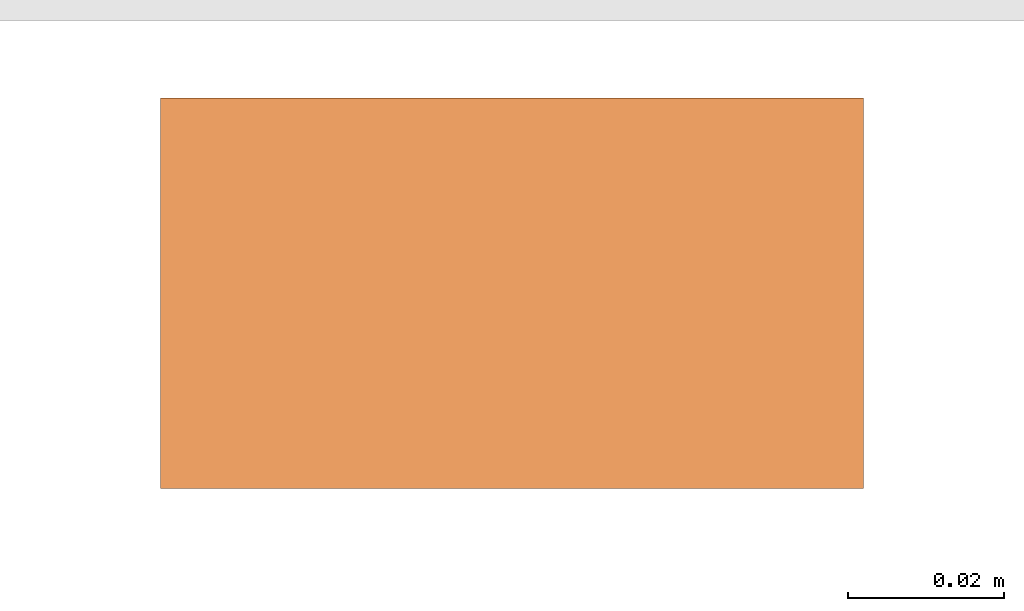
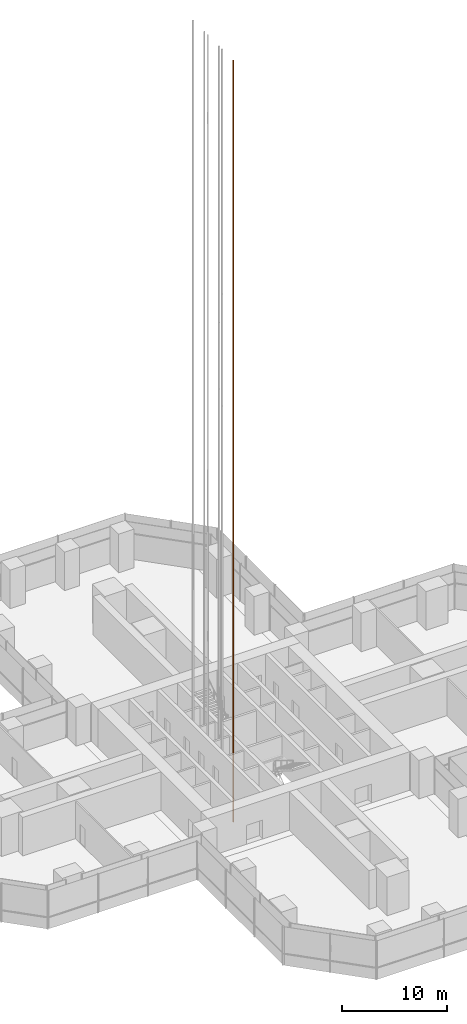
# One storey, part 22 of 27: 1 proxy.
"""IFC4 building model written with IfcOpenShell, lengths in metres."""

from ifc_helpers import new_model, si_unit, direction, frame, origin, origin_2d, place, context, subcontext, project, spatial, rectangle, extrude, material, element, save


model = new_model("IFC4")

# Units and contexts
model_context = context("Model", 3, precision=1e-05, world=origin(), true_north=direction((0.0, 1.0)))
body_context = subcontext(model_context, "Body", "Model", "MODEL_VIEW")
ifc_project = project(units=[si_unit("LENGTHUNIT", "METRE"), si_unit("AREAUNIT", "SQUARE_METRE"), si_unit("VOLUMEUNIT", "CUBIC_METRE"), si_unit("PLANEANGLEUNIT", "RADIAN"), si_unit("MASSUNIT", "GRAM", prefix="KILO")], contexts=[model_context])

# Site, building, storey
site_placement = place(None, origin())
site = spatial("IfcSite", under=ifc_project, at=site_placement, CompositionType="ELEMENT")
building_placement = place(site_placement, origin())
building = spatial("IfcBuilding", under=site, at=building_placement, Name="Mizan Broadcast Tower", CompositionType="ELEMENT")
storey_placement = place(building_placement, frame((0.0, 0.0, 113.699951171875)))
storey = spatial("IfcBuildingStorey", under=building, at=storey_placement, Name="L25", CompositionType="ELEMENT", Elevation=113.699951171875)

# Proxy
ifc_material = material(Name="Steel guide rail", Category="steel")
proxy_placement = place(storey_placement, frame((-3.324951171875, -2.4599609375, -3.89990234375), z_axis=(0.0, 0.0, 1.0), x_axis=(1.0, 0.0, 0.0)))
element("IfcBuildingElementProxy", 1, at=proxy_placement, inside=storey, material=ifc_material, Name="Guide rail LB1-1", PredefinedType="NOTDEFINED", context=body_context, shape_type="SweptSolid", body=[
    extrude(rectangle(XDim=0.090087890625, YDim=0.050048828125, at=origin_2d()), origin(), (0.0, 0.0, 1.0), 88.8701171875),
])

save(model, "model.ifc")
